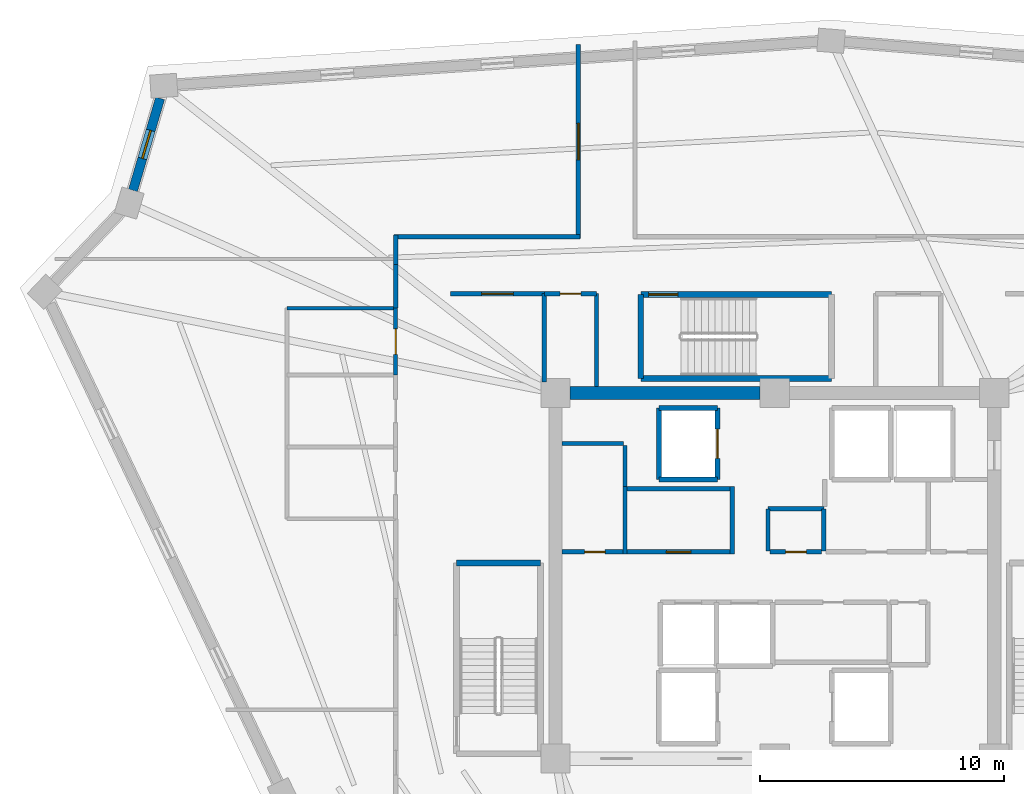
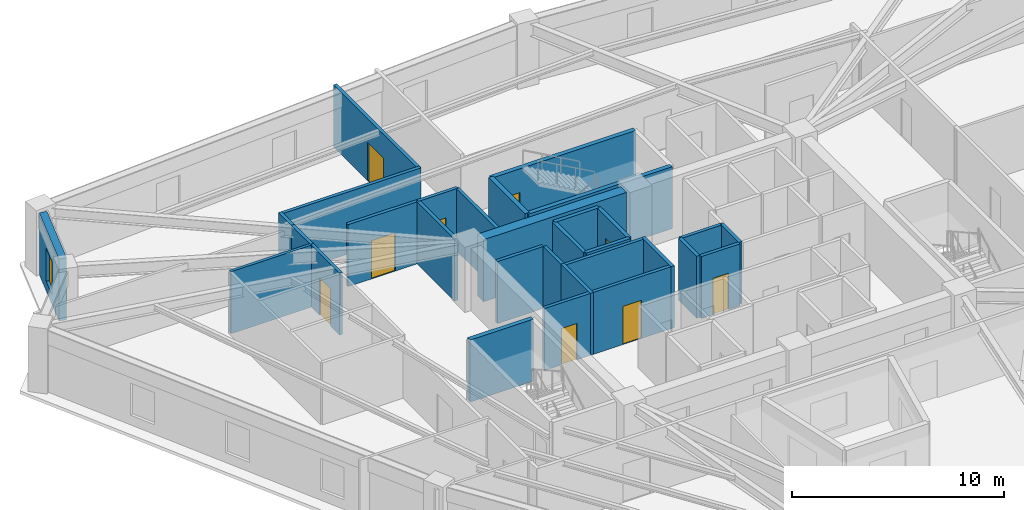
# One storey, part 5 of 10: 31 walls, 9 doors, 1 window, 10 openings.
"""IFC4 building model written with IfcOpenShell, lengths in metres."""

from ifc_helpers import new_model, si_unit, direction, frame, frame_2d, origin, place, context, subcontext, project, spatial, rectangle, extrude, source, transform, mapped, material, layer, layer_set, type_object, element, fill, save


model = new_model("IFC4")

# Units and contexts
model_context = context("Model", 3, precision=1e-05, world=origin(), true_north=direction((0.0, 1.0)))
body_context = subcontext(model_context, "Body", "Model", "MODEL_VIEW")
ifc_project = project(units=[si_unit("LENGTHUNIT", "METRE"), si_unit("AREAUNIT", "SQUARE_METRE"), si_unit("VOLUMEUNIT", "CUBIC_METRE"), si_unit("PLANEANGLEUNIT", "RADIAN"), si_unit("MASSUNIT", "GRAM", prefix="KILO")], contexts=[model_context])

# Site, building, storey
site_placement = place(None, origin())
site = spatial("IfcSite", under=ifc_project, at=site_placement, CompositionType="ELEMENT")
building_placement = place(site_placement, origin())
building = spatial("IfcBuilding", under=site, at=building_placement, Name="Liaohun Quay Tower", CompositionType="ELEMENT")
storey_placement = place(building_placement, frame((0.0, 0.0, 309.0)))
storey = spatial("IfcBuildingStorey", under=building, at=storey_placement, Name="L80", CompositionType="ELEMENT", Elevation=309.0)

# Wall
ifc_material_1 = material(Name="Concrete C50", Category="concrete")
ifc_layer_1 = layer(ifc_material_1, 0.550048828125, Name="Concrete C50", Category="concrete")
ifc_layer_set_1 = layer_set([ifc_layer_1], Name="Concrete C50")
wall_type_1 = type_object("IfcWallType", Name="WAL-COR-Z4", PredefinedType="SHEAR", material=ifc_layer_set_1)
wall_1_placement = place(storey_placement, frame((51.60009765625, 61.5, 0.0), z_axis=(0.0, 0.0, 1.0), x_axis=(1.0, 0.0, 0.0)))
element("IfcWall", 1, at=wall_1_placement, inside=storey, type_object=wall_type_1, Name="L80 Central Core Shear Wall N-W", PredefinedType="SHEAR", context=body_context, shape_type="SweptSolid", body=[
    extrude(rectangle(XDim=7.7998046875, YDim=0.550048828125, at=frame_2d((3.89990234375, 0.0))), origin(), (0.0, 0.0, 1.0), 3.570068359375),
])

# Wall, opening, window
ifc_material_2 = material(Name="Precast concrete C50 insulated sandwich", Category="concrete")
ifc_layer_2 = layer(ifc_material_2, 0.3798828125, Name="Precast concrete C50 insulated sandwich", Category="concrete")
ifc_layer_set_2 = layer_set([ifc_layer_2], Name="Precast concrete C50 insulated sandwich")
wall_type_2 = type_object("IfcWallType", Name="WAL-EXT-Z34", PredefinedType="SOLIDWALL", material=ifc_layer_set_2)
wall_2_placement = place(storey_placement, frame((34.77197265625, 73.591064453125, 0.0), z_axis=(0.0, 0.0, 1.0), x_axis=(-0.282434871617, -0.959286476134, 0.0)))
wall_2 = element("IfcWall", 2, at=wall_2_placement, inside=storey, type_object=wall_type_2, Name="L80 Brutalist Precast Pier Wall 08", PredefinedType="SOLIDWALL", context=body_context, shape_type="SweptSolid", body=[
    extrude(rectangle(XDim=3.9375, YDim=0.3798828125, at=frame_2d((1.96875, 0.0))), origin(), (0.0, 0.0, 1.0), 3.570068359375),
])
shared_shape_1 = source(origin(), body_context, "Body", "SweptSolid", [
    extrude(rectangle(XDim=1.199951171875, YDim=1.89990234375, at=frame_2d((0.60009765625, 0.949951171875))), frame((0.0, 0.199951171875, 0.0), z_axis=(0.0, -1.0, 0.0), x_axis=(1.0, 0.0, 0.0)), (0.0, 0.0, 1.0), 0.39990234375),
])
opening_1_placement = place(wall_2_placement, frame((1.368896484375, 0.0, 0.550048828125)))
opening_1 = element("IfcOpeningElement", 3, at=opening_1_placement, cuts=wall_2, Name="Opening W05", PredefinedType="OPENING", context=body_context, shape_type="MappedRepresentation", body=[
    mapped(shared_shape_1, transform((0.0, 0.0, 0.0), x_axis=(1.0, 0.0, 0.0), y_axis=(0.0, 1.0, 0.0), z_axis=(0.0, 0.0, 1.0), scale=1.0)),
])
ifc_material_3 = material(Name="Triple Low-E corner notch glazing", Category="glass")
window_type = type_object("IfcWindowType", Name="WIN-NOTCH", PartitioningType="SINGLE_PANEL", PredefinedType="WINDOW", material=ifc_material_3)
shared_shape_2 = source(origin(), body_context, "Body", "SweptSolid", [
    extrude(rectangle(XDim=1.199951171875, YDim=1.89990234375, at=frame_2d((0.60009765625, 0.949951171875))), frame((0.0, 0.030029296875, 0.0), z_axis=(0.0, -1.0, 0.0), x_axis=(1.0, 0.0, 0.0)), (0.0, 0.0, 1.0), 0.06005859375),
])
window_placement = place(opening_1_placement, origin())
window = element("IfcWindow", 4, at=window_placement, inside=storey, type_object=window_type, Name="L80 Corner Notch Window W05-08", OverallHeight=1.89990234375, OverallWidth=1.199951171875, PartitioningType="SINGLE_PANEL", PredefinedType="WINDOW", context=body_context, shape_type="MappedRepresentation", body=[
    mapped(shared_shape_2, transform((0.0, 0.0, 0.0), x_axis=(1.0, 0.0, 0.0), y_axis=(0.0, 1.0, 0.0), z_axis=(0.0, 0.0, 1.0), scale=1.0)),
])
fill(opening_1, window)

# Wall, opening, door
ifc_material_4 = material(Name="Autoclaved aerated concrete blockwork", Category="masonry")
ifc_layer_3 = layer(ifc_material_4, 0.179931640625, Name="Autoclaved aerated concrete blockwork", Category="masonry")
ifc_layer_set_3 = layer_set([ifc_layer_3], Name="Autoclaved aerated concrete blockwork")
wall_type_3 = type_object("IfcWallType", Name="WAL-PRT-COR", PredefinedType="PARTITIONING", material=ifc_layer_set_3)
wall_3_placement = place(storey_placement, frame((53.93994140625, 54.97998046875, 0.0), z_axis=(0.0, 0.0, 1.0), x_axis=(1.0, 0.0, 0.0)))
wall_3 = element("IfcWall", 5, at=wall_3_placement, inside=storey, type_object=wall_type_3, Name="L80 Interior Partition Wall 002", PredefinedType="PARTITIONING", context=body_context, shape_type="SweptSolid", body=[
    extrude(rectangle(XDim=4.219970703125, YDim=0.179931640625, at=frame_2d((2.10986328125, 0.0))), origin(), (0.0, 0.0, 1.0), 3.570068359375),
])
shared_shape_3 = source(origin(), body_context, "Body", "SweptSolid", [
    extrude(rectangle(XDim=1.0, YDim=2.199951171875, at=frame_2d((0.5, 1.10009765625))), frame((0.0, 0.099853515625, 0.0), z_axis=(0.0, -1.0, 0.0), x_axis=(1.0, 0.0, 0.0)), (0.0, 0.0, 1.0), 0.199951171875),
])
opening_2_placement = place(wall_3_placement, frame((1.610107421875, 0.0, 0.0)))
opening_2 = element("IfcOpeningElement", 6, at=opening_2_placement, cuts=wall_3, Name="Opening OD1", PredefinedType="OPENING", context=body_context, shape_type="MappedRepresentation", body=[
    mapped(shared_shape_3, transform((0.0, 0.0, 0.0), x_axis=(1.0, 0.0, 0.0), y_axis=(0.0, 1.0, 0.0), z_axis=(0.0, 0.0, 1.0), scale=1.0)),
])
ifc_material_5 = material(Name="Solid-core oak veneer timber leaf in steel frame", Category="steel")
door_type_1 = type_object("IfcDoorType", Name="DOR-OFF-1000", OperationType="NOTDEFINED", PredefinedType="DOOR", material=ifc_material_5)
shared_shape_4 = source(origin(), body_context, "Body", "SweptSolid", [
    extrude(rectangle(XDim=1.0, YDim=2.199951171875, at=frame_2d((0.5, 1.10009765625))), frame((0.0, 0.02490234375, 0.0), z_axis=(0.0, -1.0, 0.0), x_axis=(1.0, 0.0, 0.0)), (0.0, 0.0, 1.0), 0.050048828125),
])
door_1_placement = place(opening_2_placement, origin())
door_1 = element("IfcDoor", 7, at=door_1_placement, inside=storey, type_object=door_type_1, Name="L80 Core Staff Pantry and Tea Room Door", OperationType="SINGLE_SWING_RIGHT", OverallHeight=2.199951171875, OverallWidth=1.0, PredefinedType="DOOR", context=body_context, shape_type="MappedRepresentation", body=[
    mapped(shared_shape_4, transform((0.0, 0.0, 0.0), x_axis=(1.0, 0.0, 0.0), y_axis=(0.0, 1.0, 0.0), z_axis=(0.0, 0.0, 1.0), scale=1.0)),
])
fill(opening_2, door_1)

wall_4_placement = place(storey_placement, frame((51.27490234375, 54.97998046875, 0.0), z_axis=(0.0, 0.0, 1.0), x_axis=(1.0, 0.0, 0.0)))
wall_4 = element("IfcWall", 8, at=wall_4_placement, inside=storey, type_object=wall_type_3, Name="L80 Interior Partition Wall 003", PredefinedType="PARTITIONING", context=body_context, shape_type="SweptSolid", body=[
    extrude(rectangle(XDim=2.485107421875, YDim=0.179931640625, at=frame_2d((1.24267578125, 0.0))), origin(), (0.0, 0.0, 1.0), 3.570068359375),
])
shared_shape_5 = source(origin(), body_context, "Body", "SweptSolid", [
    extrude(rectangle(XDim=0.85009765625, YDim=2.10009765625, at=frame_2d((0.425048828125, 1.050048828125))), frame((0.0, 0.099853515625, 0.0), z_axis=(0.0, -1.0, 0.0), x_axis=(1.0, 0.0, 0.0)), (0.0, 0.0, 1.0), 0.199951171875),
])
opening_3_placement = place(wall_4_placement, frame((0.9150390625, 0.0, 0.0)))
opening_3 = element("IfcOpeningElement", 9, at=opening_3_placement, cuts=wall_4, Name="Opening AD1", PredefinedType="OPENING", context=body_context, shape_type="MappedRepresentation", body=[
    mapped(shared_shape_5, transform((0.0, 0.0, 0.0), x_axis=(1.0, 0.0, 0.0), y_axis=(0.0, 1.0, 0.0), z_axis=(0.0, 0.0, 1.0), scale=1.0)),
])
ifc_material_6 = material(Name="Steel riser inspection fire door", Category="steel")
door_type_2 = type_object("IfcDoorType", Name="DOR-SHF-850", OperationType="NOTDEFINED", PredefinedType="DOOR", material=ifc_material_6)
shared_shape_6 = source(origin(), body_context, "Body", "SweptSolid", [
    extrude(rectangle(XDim=0.85009765625, YDim=2.10009765625, at=frame_2d((0.425048828125, 1.050048828125))), frame((0.0, 0.02490234375, 0.0), z_axis=(0.0, -1.0, 0.0), x_axis=(1.0, 0.0, 0.0)), (0.0, 0.0, 1.0), 0.050048828125),
])
door_2_placement = place(opening_3_placement, origin())
door_2 = element("IfcDoor", 10, at=door_2_placement, inside=storey, type_object=door_type_2, Name="L80 Core High-Zone Archive and Riser Store Door", OperationType="SINGLE_SWING_LEFT", OverallHeight=2.10009765625, OverallWidth=0.85009765625, PredefinedType="DOOR", context=body_context, shape_type="MappedRepresentation", body=[
    mapped(shared_shape_6, transform((0.0, 0.0, 0.0), x_axis=(1.0, 0.0, 0.0), y_axis=(0.0, 1.0, 0.0), z_axis=(0.0, 0.0, 1.0), scale=1.0)),
])
fill(opening_3, door_2)

wall_5_placement = place(storey_placement, frame((59.81005859375, 54.97998046875, 0.0), z_axis=(0.0, 0.0, 1.0), x_axis=(1.0, 0.0, 0.0)))
wall_5 = element("IfcWall", 11, at=wall_5_placement, inside=storey, type_object=wall_type_3, Name="L80 Interior Partition Wall 006", PredefinedType="PARTITIONING", context=body_context, shape_type="SweptSolid", body=[
    extrude(rectangle(XDim=2.10986328125, YDim=0.179931640625, at=frame_2d((1.054931640625, 0.0))), origin(), (0.0, 0.0, 1.0), 3.570068359375),
])
opening_4_placement = place(wall_5_placement, frame((0.635009765625, 0.0, 0.0)))
opening_4 = element("IfcOpeningElement", 12, at=opening_4_placement, cuts=wall_5, Name="Opening AD1", PredefinedType="OPENING", context=body_context, shape_type="MappedRepresentation", body=[
    mapped(shared_shape_5, transform((0.0, 0.0, 0.0), x_axis=(1.0, 0.0, 0.0), y_axis=(0.0, 1.0, 0.0), z_axis=(0.0, 0.0, 1.0), scale=1.0)),
])
door_3_placement = place(opening_4_placement, origin())
door_3 = element("IfcDoor", 13, at=door_3_placement, inside=storey, type_object=door_type_2, Name="L80 Electrical Meter Room Door", OperationType="SINGLE_SWING_RIGHT", OverallHeight=2.10009765625, OverallWidth=0.85009765625, PredefinedType="DOOR", context=body_context, shape_type="MappedRepresentation", body=[
    mapped(shared_shape_6, transform((0.0, 0.0, 0.0), x_axis=(1.0, 0.0, 0.0), y_axis=(0.0, 1.0, 0.0), z_axis=(0.0, 0.0, 1.0), scale=1.0)),
])
fill(opening_4, door_3)

wall_6_placement = place(storey_placement, frame((50.5400390625, 65.580078125, 0.0), z_axis=(0.0, 0.0, 1.0), x_axis=(1.0, 0.0, 0.0)))
wall_6 = element("IfcWall", 14, at=wall_6_placement, inside=storey, type_object=wall_type_3, Name="L80 Interior Partition Wall 011", PredefinedType="PARTITIONING", context=body_context, shape_type="SweptSolid", body=[
    extrude(rectangle(XDim=2.139892578125, YDim=0.179931640625, at=frame_2d((1.06982421875, 0.0))), origin(), (0.0, 0.0, 1.0), 3.570068359375),
])
opening_5_placement = place(wall_6_placement, frame((0.64501953125, 0.0, 0.0)))
opening_5 = element("IfcOpeningElement", 15, at=opening_5_placement, cuts=wall_6, Name="Opening AD1", PredefinedType="OPENING", context=body_context, shape_type="MappedRepresentation", body=[
    mapped(shared_shape_5, transform((0.0, 0.0, 0.0), x_axis=(1.0, 0.0, 0.0), y_axis=(0.0, 1.0, 0.0), z_axis=(0.0, 0.0, 1.0), scale=1.0)),
])
door_4_placement = place(opening_5_placement, origin())
door_4 = element("IfcDoor", 16, at=door_4_placement, inside=storey, type_object=door_type_2, Name="L80 North-West Supply Store Door", OperationType="SINGLE_SWING_LEFT", OverallHeight=2.10009765625, OverallWidth=0.85009765625, PredefinedType="DOOR", context=body_context, shape_type="MappedRepresentation", body=[
    mapped(shared_shape_6, transform((0.0, 0.0, 0.0), x_axis=(1.0, 0.0, 0.0), y_axis=(0.0, 1.0, 0.0), z_axis=(0.0, 0.0, 1.0), scale=1.0)),
])
fill(opening_5, door_4)

wall_7_placement = place(storey_placement, frame((46.699951171875, 65.580078125, 0.0), z_axis=(0.0, 0.0, 1.0), x_axis=(1.0, 0.0, 0.0)))
wall_7 = element("IfcWall", 17, at=wall_7_placement, inside=storey, type_object=wall_type_3, Name="L80 Interior Partition Wall 013", PredefinedType="PARTITIONING", context=body_context, shape_type="SweptSolid", body=[
    extrude(rectangle(XDim=3.840087890625, YDim=0.179931640625, at=frame_2d((1.919921875, 0.0))), origin(), (0.0, 0.0, 1.0), 3.570068359375),
])
shared_shape_7 = source(origin(), body_context, "Body", "SweptSolid", [
    extrude(rectangle(XDim=1.300048828125, YDim=2.199951171875, at=frame_2d((0.64990234375, 1.10009765625))), frame((0.0, 0.099853515625, 0.0), z_axis=(0.0, -1.0, 0.0), x_axis=(1.0, 0.0, 0.0)), (0.0, 0.0, 1.0), 0.199951171875),
])
opening_6_placement = place(wall_7_placement, frame((1.27001953125, 0.0, 0.0)))
opening_6 = element("IfcOpeningElement", 18, at=opening_6_placement, cuts=wall_7, Name="Opening FD1", PredefinedType="OPENING", context=body_context, shape_type="MappedRepresentation", body=[
    mapped(shared_shape_7, transform((0.0, 0.0, 0.0), x_axis=(1.0, 0.0, 0.0), y_axis=(0.0, 1.0, 0.0), z_axis=(0.0, 0.0, 1.0), scale=1.0)),
])
ifc_material_7 = material(Name="Galvanised steel smokeproof fire door", Category="steel")
door_type_3 = type_object("IfcDoorType", Name="DOR-FFL-1300", OperationType="NOTDEFINED", PredefinedType="DOOR", material=ifc_material_7)
shared_shape_8 = source(origin(), body_context, "Body", "SweptSolid", [
    extrude(rectangle(XDim=1.300048828125, YDim=2.199951171875, at=frame_2d((0.64990234375, 1.10009765625))), frame((0.0, 0.02490234375, 0.0), z_axis=(0.0, -1.0, 0.0), x_axis=(1.0, 0.0, 0.0)), (0.0, 0.0, 1.0), 0.050048828125),
])
door_5_placement = place(opening_6_placement, origin())
door_5 = element("IfcDoor", 19, at=door_5_placement, inside=storey, type_object=door_type_3, Name="L80 West Core Vestibule Door", OperationType="SINGLE_SWING_LEFT", OverallHeight=2.199951171875, OverallWidth=1.300048828125, PredefinedType="DOOR", context=body_context, shape_type="MappedRepresentation", body=[
    mapped(shared_shape_8, transform((0.0, 0.0, 0.0), x_axis=(1.0, 0.0, 0.0), y_axis=(0.0, 1.0, 0.0), z_axis=(0.0, 0.0, 1.0), scale=1.0)),
])
fill(opening_6, door_5)

wall_8_placement = place(storey_placement, frame((51.93994140625, 67.840087890625, 0.0), z_axis=(0.0, 0.0, 1.0), x_axis=(0.0, 1.0, 0.0)))
wall_8 = element("IfcWall", 20, at=wall_8_placement, inside=storey, type_object=wall_type_3, Name="L80 Interior Partition Wall 018", PredefinedType="PARTITIONING", context=body_context, shape_type="SweptSolid", body=[
    extrude(rectangle(XDim=7.95703125, YDim=0.179931640625, at=frame_2d((3.978515625, 0.0))), origin(), (0.0, 0.0, 1.0), 3.570068359375),
])
shared_shape_9 = source(origin(), body_context, "Body", "SweptSolid", [
    extrude(rectangle(XDim=1.5, YDim=2.199951171875, at=frame_2d((0.75, 1.10009765625))), frame((0.0, 0.099853515625, 0.0), z_axis=(0.0, -1.0, 0.0), x_axis=(1.0, 0.0, 0.0)), (0.0, 0.0, 1.0), 0.199951171875),
])
opening_7_placement = place(wall_8_placement, frame((3.22802734375, 0.0, 0.0)))
opening_7 = element("IfcOpeningElement", 21, at=opening_7_placement, cuts=wall_8, Name="Opening OD2", PredefinedType="OPENING", context=body_context, shape_type="MappedRepresentation", body=[
    mapped(shared_shape_9, transform((0.0, 0.0, 0.0), x_axis=(1.0, 0.0, 0.0), y_axis=(0.0, 1.0, 0.0), z_axis=(0.0, 0.0, 1.0), scale=1.0)),
])
ifc_material_8 = material(Name="Acoustic oak veneer double door")
door_type_4 = type_object("IfcDoorType", Name="DOR-OFF-1500", OperationType="DOUBLE_DOOR_SINGLE_SWING", PredefinedType="DOOR", material=ifc_material_8)
shared_shape_10 = source(origin(), body_context, "Body", "SweptSolid", [
    extrude(rectangle(XDim=1.5, YDim=2.199951171875, at=frame_2d((0.75, 1.10009765625))), frame((0.0, 0.02490234375, 0.0), z_axis=(0.0, -1.0, 0.0), x_axis=(1.0, 0.0, 0.0)), (0.0, 0.0, 1.0), 0.050048828125),
])
door_6_placement = place(opening_7_placement, origin())
door_6 = element("IfcDoor", 22, at=door_6_placement, inside=storey, type_object=door_type_4, Name="L80 Project Collaboration Studio 04 Door", OperationType="DOUBLE_DOOR_SINGLE_SWING", OverallHeight=2.199951171875, OverallWidth=1.5, PredefinedType="DOOR", context=body_context, shape_type="MappedRepresentation", body=[
    mapped(shared_shape_10, transform((0.0, 0.0, 0.0), x_axis=(1.0, 0.0, 0.0), y_axis=(0.0, 1.0, 0.0), z_axis=(0.0, 0.0, 1.0), scale=1.0)),
])
fill(opening_7, door_6)

# Walls
wall_9_placement = place(storey_placement, frame((51.27490234375, 59.429931640625, 0.0), z_axis=(0.0, 0.0, 1.0), x_axis=(1.0, 0.0, 0.0)))
element("IfcWall", 23, at=wall_9_placement, inside=storey, type_object=wall_type_3, Name="L80 Interior Partition Wall 024", PredefinedType="PARTITIONING", context=body_context, shape_type="SweptSolid", body=[
    extrude(rectangle(XDim=2.505126953125, YDim=0.179931640625, at=frame_2d((1.25244140625, 0.0))), origin(), (0.0, 0.0, 1.0), 3.570068359375),
])
for number, where, z_axis, x_axis, name in (
    (24, (59.719970703125, 55.02001953125, 0.0), (0.0, 0.0, 1.0), (0.0, 1.0, 0.0), "L80 Interior Partition Wall 026"),
    (25, (62.010009765625, 55.02001953125, 0.0), (0.0, 0.0, 1.0), (0.0, 1.0, 0.0), "L80 Interior Partition Wall 027"),
):
    element("IfcWall", number, at=place(storey_placement, frame(where, z_axis=z_axis, x_axis=x_axis)), inside=storey, type_object=wall_type_3, Name=name, PredefinedType="PARTITIONING", context=body_context, shape_type="SweptSolid", body=[
        extrude(rectangle(XDim=1.72998046875, YDim=0.179931640625, at=frame_2d((0.864990234375, 0.0))), origin(), (0.0, 0.0, 1.0), 3.570068359375),
    ])
wall_10_placement = place(storey_placement, frame((59.719970703125, 56.75, 0.0), z_axis=(0.0, 0.0, 1.0), x_axis=(1.0, 0.0, 0.0)))
element("IfcWall", 26, at=wall_10_placement, inside=storey, type_object=wall_type_3, Name="L80 Interior Partition Wall 028", PredefinedType="PARTITIONING", context=body_context, shape_type="SweptSolid", body=[
    extrude(rectangle(XDim=2.2900390625, YDim=0.179931640625, at=frame_2d((1.14501953125, 0.0))), origin(), (0.0, 0.0, 1.0), 3.570068359375),
])
wall_11_placement = place(storey_placement, frame((50.5400390625, 61.949951171875, 0.0), z_axis=(0.0, 0.0, 1.0), x_axis=(0.0, 1.0, 0.0)))
element("IfcWall", 27, at=wall_11_placement, inside=storey, type_object=wall_type_3, Name="L80 Interior Partition Wall 037", PredefinedType="PARTITIONING", context=body_context, shape_type="SweptSolid", body=[
    extrude(rectangle(XDim=3.630126953125, YDim=0.179931640625, at=frame_2d((1.81494140625, 0.0))), origin(), (0.0, 0.0, 1.0), 3.570068359375),
])
wall_12_placement = place(storey_placement, frame((52.679931640625, 61.77490234375, 0.0), z_axis=(0.0, 0.0, 1.0), x_axis=(0.0, 1.0, 0.0)))
element("IfcWall", 28, at=wall_12_placement, inside=storey, type_object=wall_type_3, Name="L80 Interior Partition Wall 038", PredefinedType="PARTITIONING", context=body_context, shape_type="SweptSolid", body=[
    extrude(rectangle(XDim=3.80517578125, YDim=0.179931640625, at=frame_2d((1.902587890625, 0.0))), origin(), (0.0, 0.0, 1.0), 3.570068359375),
])
wall_13_placement = place(storey_placement, frame((44.3701171875, 67.909912109375, 0.0), z_axis=(0.0, 0.0, 1.0), x_axis=(1.0, 0.0, 0.0)))
element("IfcWall", 29, at=wall_13_placement, inside=storey, type_object=wall_type_3, Name="L80 Interior Partition Wall 044", PredefinedType="PARTITIONING", context=body_context, shape_type="SweptSolid", body=[
    extrude(rectangle(XDim=7.639892578125, YDim=0.179931640625, at=frame_2d((3.81982421875, 0.0))), origin(), (0.0, 0.0, 1.0), 3.570068359375),
])
wall_14_placement = place(storey_placement, frame((44.43994140625, 66.784912109375, 0.0), z_axis=(0.0, 0.0, 1.0), x_axis=(0.0, 1.0, 0.0)))
element("IfcWall", 30, at=wall_14_placement, inside=storey, type_object=wall_type_3, Name="L80 Interior Partition Wall 045", PredefinedType="PARTITIONING", context=body_context, shape_type="SweptSolid", body=[
    extrude(rectangle(XDim=1.195068359375, YDim=0.179931640625, at=frame_2d((0.59765625, 0.0))), origin(), (0.0, 0.0, 1.0), 3.570068359375),
])
wall_15_placement = place(storey_placement, frame((44.43994140625, 64.97998046875, 0.0), z_axis=(0.0, 0.0, 1.0), x_axis=(0.0, 1.0, 0.0)))
element("IfcWall", 31, at=wall_15_placement, inside=storey, type_object=wall_type_3, Name="L80 Interior Partition Wall 046", PredefinedType="PARTITIONING", context=body_context, shape_type="SweptSolid", body=[
    extrude(rectangle(XDim=1.804931640625, YDim=0.179931640625, at=frame_2d((0.90234375, 0.0))), origin(), (0.0, 0.0, 1.0), 3.570068359375),
])
for number, where, z_axis, x_axis, name in (
    (32, (53.85009765625, 54.889892578125, 0.0), (0.0, 0.0, 1.0), (0.0, 1.0, 0.0), "L80 Interior Partition Wall 058"),
    (33, (58.25, 54.889892578125, 0.0), (0.0, 0.0, 1.0), (0.0, 1.0, 0.0), "L80 Interior Partition Wall 059"),
):
    element("IfcWall", number, at=place(storey_placement, frame(where, z_axis=z_axis, x_axis=x_axis)), inside=storey, type_object=wall_type_3, Name=name, PredefinedType="PARTITIONING", context=body_context, shape_type="SweptSolid", body=[
        extrude(rectangle(XDim=2.780029296875, YDim=0.179931640625, at=frame_2d((1.39013671875, 0.0))), origin(), (0.0, 0.0, 1.0), 3.570068359375),
    ])
wall_16_placement = place(storey_placement, frame((53.93994140625, 57.580078125, 0.0), z_axis=(0.0, 0.0, 1.0), x_axis=(1.0, 0.0, 0.0)))
element("IfcWall", 34, at=wall_16_placement, inside=storey, type_object=wall_type_3, Name="L80 Interior Partition Wall 060", PredefinedType="PARTITIONING", context=body_context, shape_type="SweptSolid", body=[
    extrude(rectangle(XDim=4.219970703125, YDim=0.179931640625, at=frame_2d((2.10986328125, 0.0))), origin(), (0.0, 0.0, 1.0), 3.570068359375),
])
wall_17_placement = place(storey_placement, frame((53.85009765625, 57.669921875, 0.0), z_axis=(0.0, 0.0, 1.0), x_axis=(0.0, 1.0, 0.0)))
element("IfcWall", 35, at=wall_17_placement, inside=storey, type_object=wall_type_3, Name="L80 Interior Partition Wall 061", PredefinedType="PARTITIONING", context=body_context, shape_type="SweptSolid", body=[
    extrude(rectangle(XDim=1.670166015625, YDim=0.179931640625, at=frame_2d((0.8349609375, 0.0))), origin(), (0.0, 0.0, 1.0), 3.570068359375),
])

# Wall, opening, door
ifc_material_9 = material(Name="Moisture-resistant masonry blockwork", Category="masonry")
ifc_layer_4 = layer(ifc_material_9, 0.159912109375, Name="Moisture-resistant masonry blockwork", Category="masonry")
ifc_layer_set_4 = layer_set([ifc_layer_4], Name="Moisture-resistant masonry blockwork")
wall_type_4 = type_object("IfcWallType", Name="WAL-PRT-WET", PredefinedType="PARTITIONING", material=ifc_layer_set_4)
wall_18_placement = place(storey_placement, frame((44.43994140625, 62.239990234375, 0.0), z_axis=(0.0, 0.0, 1.0), x_axis=(0.0, 1.0, 0.0)))
wall_18 = element("IfcWall", 36, at=wall_18_placement, inside=storey, type_object=wall_type_4, Name="L80 Interior Partition Wall 010", PredefinedType="PARTITIONING", context=body_context, shape_type="SweptSolid", body=[
    extrude(rectangle(XDim=2.739990234375, YDim=0.159912109375, at=frame_2d((1.3701171875, 0.0))), origin(), (0.0, 0.0, 1.0), 3.570068359375),
])
shared_shape_11 = source(origin(), body_context, "Body", "SweptSolid", [
    extrude(rectangle(XDim=1.050048828125, YDim=2.14990234375, at=frame_2d((0.52490234375, 1.074951171875))), frame((0.0, 0.08984375, 0.0), z_axis=(0.0, -1.0, 0.0), x_axis=(1.0, 0.0, 0.0)), (0.0, 0.0, 1.0), 0.179931640625),
])
opening_8_placement = place(wall_18_placement, frame((0.844970703125, 0.0, 0.0)))
opening_8 = element("IfcOpeningElement", 37, at=opening_8_placement, cuts=wall_18, Name="Opening WD2", PredefinedType="OPENING", context=body_context, shape_type="MappedRepresentation", body=[
    mapped(shared_shape_11, transform((0.0, 0.0, 0.0), x_axis=(1.0, 0.0, 0.0), y_axis=(0.0, 1.0, 0.0), z_axis=(0.0, 0.0, 1.0), scale=1.0)),
])
ifc_material_10 = material(Name="Accessible outward-swinging laminate door")
door_type_5 = type_object("IfcDoorType", Name="DOR-AWC-1050", OperationType="NOTDEFINED", PredefinedType="DOOR", material=ifc_material_10)
shared_shape_12 = source(origin(), body_context, "Body", "SweptSolid", [
    extrude(rectangle(XDim=1.050048828125, YDim=2.14990234375, at=frame_2d((0.52490234375, 1.074951171875))), frame((0.0, 0.02490234375, 0.0), z_axis=(0.0, -1.0, 0.0), x_axis=(1.0, 0.0, 0.0)), (0.0, 0.0, 1.0), 0.050048828125),
])
door_7_placement = place(opening_8_placement, origin())
door_7 = element("IfcDoor", 38, at=door_7_placement, inside=storey, type_object=door_type_5, Name="L80 Accessible WC Door", OperationType="SINGLE_SWING_RIGHT", OverallHeight=2.14990234375, OverallWidth=1.050048828125, PredefinedType="DOOR", context=body_context, shape_type="MappedRepresentation", body=[
    mapped(shared_shape_12, transform((0.0, 0.0, 0.0), x_axis=(1.0, 0.0, 0.0), y_axis=(0.0, 1.0, 0.0), z_axis=(0.0, 0.0, 1.0), scale=1.0)),
])
fill(opening_8, door_7)

# Walls
wall_19_placement = place(storey_placement, frame((39.97998046875, 64.97998046875, 0.0), z_axis=(0.0, 0.0, 1.0), x_axis=(1.0, 0.0, 0.0)))
element("IfcWall", 39, at=wall_19_placement, inside=storey, type_object=wall_type_4, Name="L80 Interior Partition Wall 036", PredefinedType="PARTITIONING", context=body_context, shape_type="SweptSolid", body=[
    extrude(rectangle(XDim=4.4599609375, YDim=0.159912109375, at=frame_2d((2.22998046875, 0.0))), origin(), (0.0, 0.0, 1.0), 3.570068359375),
])
ifc_layer_5 = layer(ifc_material_1, 0.239990234375, Name="Concrete C50", Category="concrete")
ifc_layer_set_5 = layer_set([ifc_layer_5], Name="Concrete C50")
wall_type_5 = type_object("IfcWallType", Name="WAL-SHF-200", PredefinedType="SOLIDWALL", material=ifc_layer_set_5)
wall_20_placement = place(storey_placement, frame((50.3798828125, 54.52001953125, 0.0), z_axis=(0.0, 0.0, 1.0), x_axis=(-1.0, 0.0, 0.0)))
element("IfcWall", 40, at=wall_20_placement, inside=storey, type_object=wall_type_5, Name="L80 Stairwell ST-1 Structural Core Wall N", PredefinedType="SOLIDWALL", context=body_context, shape_type="SweptSolid", body=[
    extrude(rectangle(XDim=3.43994140625, YDim=0.239990234375, at=frame_2d((1.719970703125, 0.0))), origin(), (0.0, 0.0, 1.0), 3.570068359375),
])
wall_21_placement = place(storey_placement, frame((54.5, 62.10009765625, 0.0), z_axis=(0.0, 0.0, 1.0), x_axis=(1.0, 0.0, 0.0)))
element("IfcWall", 41, at=wall_21_placement, inside=storey, type_object=wall_type_5, Name="L80 Stairwell ST-3 Structural Core Wall S", PredefinedType="SOLIDWALL", context=body_context, shape_type="SweptSolid", body=[
    extrude(rectangle(XDim=7.820068359375, YDim=0.239990234375, at=frame_2d((3.91015625, 0.0))), origin(), (0.0, 0.0, 1.0), 3.570068359375),
])

# Wall, opening, door
wall_22_placement = place(storey_placement, frame((62.320068359375, 65.5400390625, 0.0), z_axis=(0.0, 0.0, 1.0), x_axis=(-1.0, 0.0, 0.0)))
wall_22 = element("IfcWall", 42, at=wall_22_placement, inside=storey, type_object=wall_type_5, Name="L80 Stairwell ST-3 Structural Core Wall N", PredefinedType="SOLIDWALL", context=body_context, shape_type="SweptSolid", body=[
    extrude(rectangle(XDim=7.820068359375, YDim=0.239990234375, at=frame_2d((3.91015625, 0.0))), origin(), (0.0, 0.0, 1.0), 3.570068359375),
])
shared_shape_13 = source(origin(), body_context, "Body", "SweptSolid", [
    extrude(rectangle(XDim=1.199951171875, YDim=2.199951171875, at=frame_2d((0.60009765625, 1.10009765625))), frame((0.0, 0.1298828125, 0.0), z_axis=(0.0, -1.0, 0.0), x_axis=(1.0, 0.0, 0.0)), (0.0, 0.0, 1.0), 0.260009765625),
])
opening_9_placement = place(wall_22_placement, frame((6.300048828125, 0.0, 0.0)))
opening_9 = element("IfcOpeningElement", 43, at=opening_9_placement, cuts=wall_22, Name="Opening SD1", PredefinedType="OPENING", context=body_context, shape_type="MappedRepresentation", body=[
    mapped(shared_shape_13, transform((0.0, 0.0, 0.0), x_axis=(1.0, 0.0, 0.0), y_axis=(0.0, 1.0, 0.0), z_axis=(0.0, 0.0, 1.0), scale=1.0)),
])
ifc_material_11 = material(Name="Galvanised steel fire door", Category="steel")
door_type_6 = type_object("IfcDoorType", Name="DOR-STR-1200", OperationType="NOTDEFINED", PredefinedType="DOOR", material=ifc_material_11)
shared_shape_14 = source(origin(), body_context, "Body", "SweptSolid", [
    extrude(rectangle(XDim=1.199951171875, YDim=2.199951171875, at=frame_2d((0.60009765625, 1.10009765625))), frame((0.0, 0.02490234375, 0.0), z_axis=(0.0, -1.0, 0.0), x_axis=(1.0, 0.0, 0.0)), (0.0, 0.0, 1.0), 0.050048828125),
])
door_8_placement = place(opening_9_placement, origin())
door_8 = element("IfcDoor", 44, at=door_8_placement, inside=storey, type_object=door_type_6, Name="L80 Protected Stair ST-3 Fire Door", OperationType="SINGLE_SWING_RIGHT", OverallHeight=2.199951171875, OverallWidth=1.199951171875, PredefinedType="DOOR", context=body_context, shape_type="MappedRepresentation", body=[
    mapped(shared_shape_14, transform((0.0, 0.0, 0.0), x_axis=(1.0, 0.0, 0.0), y_axis=(0.0, 1.0, 0.0), z_axis=(0.0, 0.0, 1.0), scale=1.0)),
])
fill(opening_9, door_8)

# Walls
wall_23_placement = place(storey_placement, frame((54.5, 65.5400390625, 0.0), z_axis=(0.0, 0.0, 1.0), x_axis=(0.0, -1.0, 0.0)))
element("IfcWall", 45, at=wall_23_placement, inside=storey, type_object=wall_type_5, Name="L80 Stairwell ST-3 Structural Core Wall W", PredefinedType="SOLIDWALL", context=body_context, shape_type="SweptSolid", body=[
    extrude(rectangle(XDim=3.43994140625, YDim=0.239990234375, at=frame_2d((1.719970703125, 0.0))), origin(), (0.0, 0.0, 1.0), 3.570068359375),
])
wall_24_placement = place(storey_placement, frame((55.25, 57.949951171875, 0.0), z_axis=(0.0, 0.0, 1.0), x_axis=(1.0, 0.0, 0.0)))
element("IfcWall", 46, at=wall_24_placement, inside=storey, type_object=wall_type_5, Name="L80 Lift FF-03 Hoistway Wall S", PredefinedType="SOLIDWALL", context=body_context, shape_type="SweptSolid", body=[
    extrude(rectangle(XDim=2.39990234375, YDim=0.199951171875, at=frame_2d((1.199951171875, 0.0))), origin(), (0.0, 0.0, 1.0), 3.570068359375),
])

# Wall, opening, door
wall_25_placement = place(storey_placement, frame((57.64990234375, 57.949951171875, 0.0), z_axis=(0.0, 0.0, 1.0), x_axis=(0.0, 1.0, 0.0)))
wall_25 = element("IfcWall", 47, at=wall_25_placement, inside=storey, type_object=wall_type_5, Name="L80 Lift FF-03 Hoistway Wall E", PredefinedType="SOLIDWALL", context=body_context, shape_type="SweptSolid", body=[
    extrude(rectangle(XDim=2.929931640625, YDim=0.199951171875, at=frame_2d((1.46484375, 0.0))), origin(), (0.0, 0.0, 1.0), 3.570068359375),
])
shared_shape_15 = source(origin(), body_context, "Body", "SweptSolid", [
    extrude(rectangle(XDim=1.199951171875, YDim=2.300048828125, at=frame_2d((0.60009765625, 1.14990234375))), frame((0.0, 0.10986328125, 0.0), z_axis=(0.0, -1.0, 0.0), x_axis=(1.0, 0.0, 0.0)), (0.0, 0.0, 1.0), 0.219970703125),
])
opening_10_placement = place(wall_25_placement, frame((0.864990234375, 0.0, 0.0)))
opening_10 = element("IfcOpeningElement", 48, at=opening_10_placement, cuts=wall_25, Name="Opening LD2", PredefinedType="OPENING", context=body_context, shape_type="MappedRepresentation", body=[
    mapped(shared_shape_15, transform((0.0, 0.0, 0.0), x_axis=(1.0, 0.0, 0.0), y_axis=(0.0, 1.0, 0.0), z_axis=(0.0, 0.0, 1.0), scale=1.0)),
])
ifc_material_12 = material(Name="Brushed stainless steel stretcher landing door", Category="steel")
door_type_7 = type_object("IfcDoorType", Name="DOR-LFT-1200", OperationType="SLIDING_TO_LEFT", PredefinedType="DOOR", material=ifc_material_12)
shared_shape_16 = source(origin(), body_context, "Body", "SweptSolid", [
    extrude(rectangle(XDim=1.199951171875, YDim=2.300048828125, at=frame_2d((0.60009765625, 1.14990234375))), frame((0.0, 0.02490234375, 0.0), z_axis=(0.0, -1.0, 0.0), x_axis=(1.0, 0.0, 0.0)), (0.0, 0.0, 1.0), 0.050048828125),
])
door_9_placement = place(opening_10_placement, origin())
door_9 = element("IfcDoor", 49, at=door_9_placement, inside=storey, type_object=door_type_7, Name="L80 Lift FF-03 Sliding Landing Door", OperationType="SLIDING_TO_LEFT", OverallHeight=2.300048828125, OverallWidth=1.199951171875, PredefinedType="DOOR", context=body_context, shape_type="MappedRepresentation", body=[
    mapped(shared_shape_16, transform((0.0, 0.0, 0.0), x_axis=(1.0, 0.0, 0.0), y_axis=(0.0, 1.0, 0.0), z_axis=(0.0, 0.0, 1.0), scale=1.0)),
])
fill(opening_10, door_9)

# Walls
wall_26_placement = place(storey_placement, frame((57.64990234375, 60.8798828125, 0.0), z_axis=(0.0, 0.0, 1.0), x_axis=(-1.0, 0.0, 0.0)))
element("IfcWall", 50, at=wall_26_placement, inside=storey, type_object=wall_type_5, Name="L80 Lift FF-03 Hoistway Wall N", PredefinedType="SOLIDWALL", context=body_context, shape_type="SweptSolid", body=[
    extrude(rectangle(XDim=2.39990234375, YDim=0.199951171875, at=frame_2d((1.199951171875, 0.0))), origin(), (0.0, 0.0, 1.0), 3.570068359375),
])
wall_27_placement = place(storey_placement, frame((55.25, 60.8798828125, 0.0), z_axis=(0.0, 0.0, 1.0), x_axis=(0.0, -1.0, 0.0)))
element("IfcWall", 51, at=wall_27_placement, inside=storey, type_object=wall_type_5, Name="L80 Lift FF-03 Hoistway Wall W", PredefinedType="SOLIDWALL", context=body_context, shape_type="SweptSolid", body=[
    extrude(rectangle(XDim=2.929931640625, YDim=0.199951171875, at=frame_2d((1.46484375, 0.0))), origin(), (0.0, 0.0, 1.0), 3.570068359375),
])

save(model, "model.ifc")
